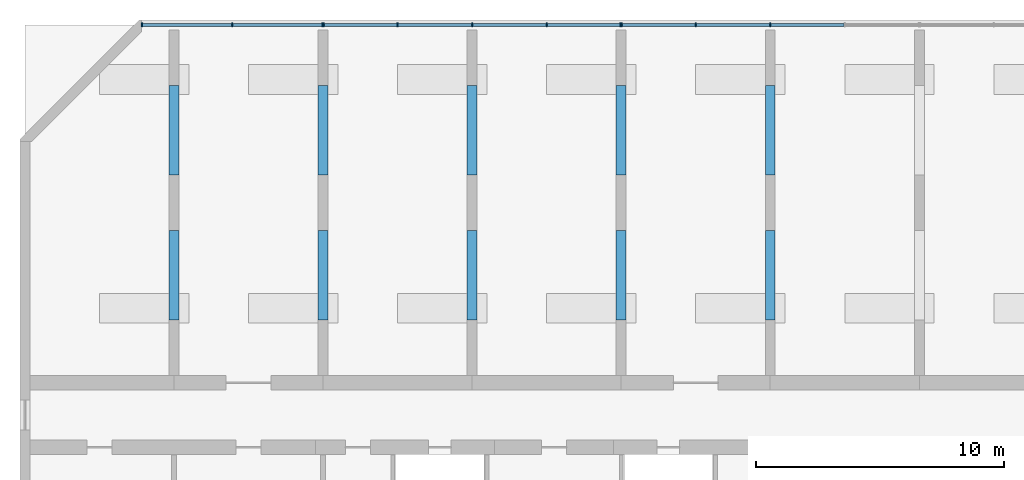
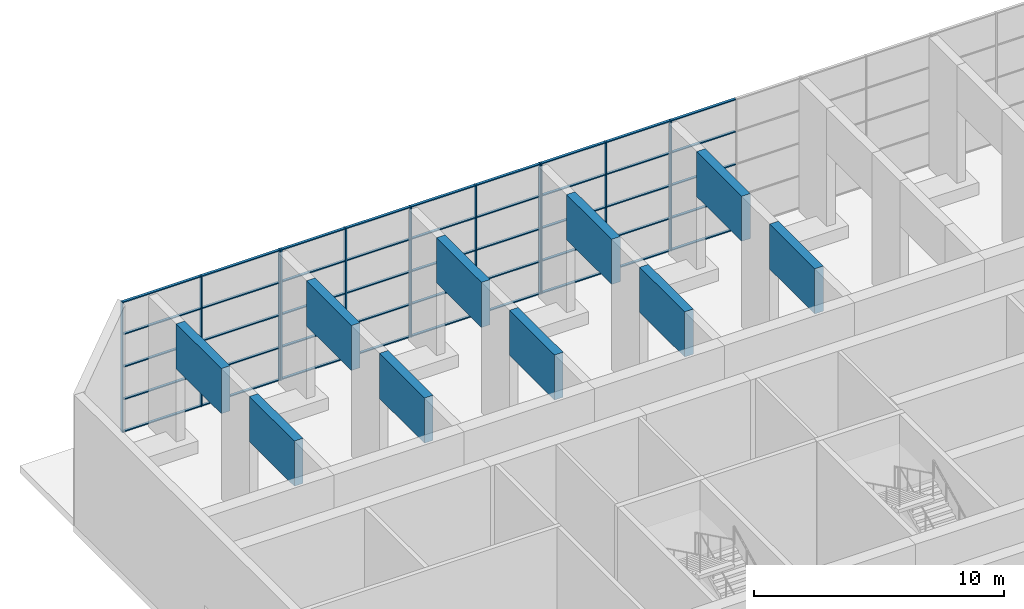
# One storey, part 1 of 15: 56 members, 10 beams, 3 elements without a shape of their own.
"""IFC4 building model written with IfcOpenShell, lengths in metres."""

from ifc_helpers import new_model, si_unit, direction, frame, origin, origin_2d, place, context, subcontext, project, spatial, rectangle, extrude, source, transform, mapped, material, layer, layer_set, material_profile, profile_set, type_object, element, aggregate, save


model = new_model("IFC4")

# Units and contexts
model_context = context("Model", 3, precision=1e-05, world=origin(), true_north=direction((0.0, 1.0)))
body_context = subcontext(model_context, "Body", "Model", "MODEL_VIEW")
ifc_project = project(units=[si_unit("LENGTHUNIT", "METRE"), si_unit("AREAUNIT", "SQUARE_METRE"), si_unit("VOLUMEUNIT", "CUBIC_METRE"), si_unit("PLANEANGLEUNIT", "RADIAN"), si_unit("MASSUNIT", "GRAM", prefix="KILO")], contexts=[model_context])

# Site, building, storey
site_placement = place(None, origin())
site = spatial("IfcSite", under=ifc_project, at=site_placement, CompositionType="ELEMENT")
building_placement = place(site_placement, origin())
building = spatial("IfcBuilding", under=site, at=building_placement, Name="Poui Terraces", CompositionType="ELEMENT")
storey_placement = place(building_placement, frame((0.0, 0.0, 66.300048828125)))
storey = spatial("IfcBuildingStorey", under=building, at=storey_placement, Name="L18", CompositionType="ELEMENT", Elevation=66.300048828125)

# Curtain wall, members
ifc_material_1 = material(Name="Clear glass", Category="glass")
ifc_layer = layer(ifc_material_1, 0.159912109375)
ifc_layer_set = layer_set([ifc_layer], Name="Clear glass")
curtain_wall_type = type_object("IfcCurtainWallType", Name="CURTAIN WALL CW-D SKY GARDEN GLAZING", PredefinedType="NOTDEFINED", material=ifc_layer_set)
curtain_wall_1_placement = place(storey_placement, origin())
curtain_wall_1 = element("IfcCurtainWall", 1, at=curtain_wall_1_placement, inside=storey, type_object=curtain_wall_type, Name="CW-D SKY GARDEN GLAZING", PredefinedType="NOTDEFINED")
ifc_material_2 = material(Name="Aluminium frame", Category="aluminium")
ifc_material_profile_1 = material_profile(ifc_material_2, rectangle(XDim=0.159912109375, YDim=0.050048828125, at=origin_2d()), Name="CW-D MULLION 50X160")
ifc_profile_set_1 = profile_set([ifc_material_profile_1], Name="Aluminium frame")
member_type_1 = type_object("IfcMemberType", Name="CW-D MULLION 50X160", PredefinedType="MULLION", material=ifc_profile_set_1)
member_1_placement = place(storey_placement, frame((17.97509765625, 44.800048828125, 0.0), z_axis=(0.0, 0.0, 1.0), x_axis=(0.0, -1.0, 0.0)))
member_1 = element("IfcMember", 2, at=member_1_placement, type_object=member_type_1, Name="CW-D mullion 1", PredefinedType="MULLION", context=body_context, shape_type="SweptSolid", body=[
    extrude(rectangle(XDim=0.159912109375, YDim=0.050048828125, at=origin_2d()), origin(), (0.0, 0.0, 1.0), 6.35986328125),
])
member_2_placement = place(storey_placement, frame((14.34130859375, 44.800048828125, 0.0), z_axis=(0.0, 0.0, 1.0), x_axis=(0.0, -1.0, 0.0)))
member_2 = element("IfcMember", 3, at=member_2_placement, type_object=member_type_1, Name="CW-D mullion 2", PredefinedType="MULLION", context=body_context, shape_type="SweptSolid", body=[
    extrude(rectangle(XDim=0.159912109375, YDim=0.050048828125, at=origin_2d()), origin(), (0.0, 0.0, 1.0), 6.35986328125),
])
member_3_placement = place(storey_placement, frame((10.707763671875, 44.800048828125, 0.0), z_axis=(0.0, 0.0, 1.0), x_axis=(0.0, -1.0, 0.0)))
member_3 = element("IfcMember", 4, at=member_3_placement, type_object=member_type_1, Name="CW-D mullion 3", PredefinedType="MULLION", context=body_context, shape_type="SweptSolid", body=[
    extrude(rectangle(XDim=0.159912109375, YDim=0.050048828125, at=origin_2d()), origin(), (0.0, 0.0, 1.0), 6.35986328125),
])

curtain_wall_2_placement = place(storey_placement, origin())
curtain_wall_2 = element("IfcCurtainWall", 5, at=curtain_wall_2_placement, inside=storey, type_object=curtain_wall_type, Name="CW-D SKY GARDEN GLAZING", PredefinedType="NOTDEFINED")
member_4_placement = place(storey_placement, frame((29.97509765625, 44.800048828125, 0.0), z_axis=(0.0, 0.0, 1.0), x_axis=(0.0, -1.0, 0.0)))
member_4 = element("IfcMember", 6, at=member_4_placement, type_object=member_type_1, Name="CW-D mullion 1", PredefinedType="MULLION", context=body_context, shape_type="SweptSolid", body=[
    extrude(rectangle(XDim=0.159912109375, YDim=0.050048828125, at=origin_2d()), origin(), (0.0, 0.0, 1.0), 6.35986328125),
])
member_5_placement = place(storey_placement, frame((27.0, 44.800048828125, 0.0), z_axis=(0.0, 0.0, 1.0), x_axis=(0.0, -1.0, 0.0)))
member_5 = element("IfcMember", 7, at=member_5_placement, type_object=member_type_1, Name="CW-D mullion 2", PredefinedType="MULLION", context=body_context, shape_type="SweptSolid", body=[
    extrude(rectangle(XDim=0.159912109375, YDim=0.050048828125, at=origin_2d()), origin(), (0.0, 0.0, 1.0), 6.35986328125),
])
member_6_placement = place(storey_placement, frame((24.0, 44.800048828125, 0.0), z_axis=(0.0, 0.0, 1.0), x_axis=(0.0, -1.0, 0.0)))
member_6 = element("IfcMember", 8, at=member_6_placement, type_object=member_type_1, Name="CW-D mullion 3", PredefinedType="MULLION", context=body_context, shape_type="SweptSolid", body=[
    extrude(rectangle(XDim=0.159912109375, YDim=0.050048828125, at=origin_2d()), origin(), (0.0, 0.0, 1.0), 6.35986328125),
])
member_7_placement = place(storey_placement, frame((21.0, 44.800048828125, 0.0), z_axis=(0.0, 0.0, 1.0), x_axis=(0.0, -1.0, 0.0)))
member_7 = element("IfcMember", 9, at=member_7_placement, type_object=member_type_1, Name="CW-D mullion 4", PredefinedType="MULLION", context=body_context, shape_type="SweptSolid", body=[
    extrude(rectangle(XDim=0.159912109375, YDim=0.050048828125, at=origin_2d()), origin(), (0.0, 0.0, 1.0), 6.35986328125),
])
member_8_placement = place(storey_placement, frame((18.02490234375, 44.800048828125, 0.0), z_axis=(0.0, 0.0, 1.0), x_axis=(0.0, -1.0, 0.0)))
member_8 = element("IfcMember", 10, at=member_8_placement, type_object=member_type_1, Name="CW-D mullion 5", PredefinedType="MULLION", context=body_context, shape_type="SweptSolid", body=[
    extrude(rectangle(XDim=0.159912109375, YDim=0.050048828125, at=origin_2d()), origin(), (0.0, 0.0, 1.0), 6.35986328125),
])

curtain_wall_3_placement = place(storey_placement, origin())
curtain_wall_3 = element("IfcCurtainWall", 11, at=curtain_wall_3_placement, inside=storey, type_object=curtain_wall_type, Name="CW-D SKY GARDEN GLAZING", PredefinedType="NOTDEFINED")
member_9_placement = place(storey_placement, frame((36.0, 44.800048828125, 0.0), z_axis=(0.0, 0.0, 1.0), x_axis=(0.0, -1.0, 0.0)))
member_9 = element("IfcMember", 12, at=member_9_placement, type_object=member_type_1, Name="CW-D mullion 3", PredefinedType="MULLION", context=body_context, shape_type="SweptSolid", body=[
    extrude(rectangle(XDim=0.159912109375, YDim=0.050048828125, at=origin_2d()), origin(), (0.0, 0.0, 1.0), 6.35986328125),
])
member_10_placement = place(storey_placement, frame((33.0, 44.800048828125, 0.0), z_axis=(0.0, 0.0, 1.0), x_axis=(0.0, -1.0, 0.0)))
member_10 = element("IfcMember", 13, at=member_10_placement, type_object=member_type_1, Name="CW-D mullion 4", PredefinedType="MULLION", context=body_context, shape_type="SweptSolid", body=[
    extrude(rectangle(XDim=0.159912109375, YDim=0.050048828125, at=origin_2d()), origin(), (0.0, 0.0, 1.0), 6.35986328125),
])
member_11_placement = place(storey_placement, frame((30.02490234375, 44.800048828125, 0.0), z_axis=(0.0, 0.0, 1.0), x_axis=(0.0, -1.0, 0.0)))
member_11 = element("IfcMember", 14, at=member_11_placement, type_object=member_type_1, Name="CW-D mullion 5", PredefinedType="MULLION", context=body_context, shape_type="SweptSolid", body=[
    extrude(rectangle(XDim=0.159912109375, YDim=0.050048828125, at=origin_2d()), origin(), (0.0, 0.0, 1.0), 6.35986328125),
])

# Member
ifc_material_profile_2 = material_profile(ifc_material_2, rectangle(XDim=0.1201171875, YDim=0.050048828125, at=origin_2d()), Name="CW-D TRANSOM 50X120")
ifc_profile_set_2 = profile_set([ifc_material_profile_2], Name="Aluminium frame")
member_type_2 = type_object("IfcMemberType", Name="CW-D TRANSOM 50X120", PredefinedType="USERDEFINED", material=ifc_profile_set_2)
member_12_placement = place(storey_placement, frame((17.949951171875, 44.800048828125, 0.02490234375), z_axis=(-1.0, 0.0, 0.0), x_axis=(0.0, -1.0, 0.0)))
member_12 = element("IfcMember", 15, at=member_12_placement, type_object=member_type_2, Name="CW-D transom 1.1", ObjectType="TRANSOM", PredefinedType="USERDEFINED", context=body_context, shape_type="SweptSolid", body=[
    extrude(rectangle(XDim=0.1201171875, YDim=0.050048828125, at=origin_2d()), origin(), (0.0, 0.0, 1.0), 3.58349609375),
])

member_13_placement = place(storey_placement, frame((17.949951171875, 44.800048828125, 1.58984375), z_axis=(-1.0, 0.0, 0.0), x_axis=(0.0, -1.0, 0.0)))
member_13 = element("IfcMember", 16, at=member_13_placement, type_object=member_type_2, Name="CW-D transom 1.2", ObjectType="TRANSOM", PredefinedType="USERDEFINED", context=body_context, shape_type="SweptSolid", body=[
    extrude(rectangle(XDim=0.1201171875, YDim=0.050048828125, at=origin_2d()), origin(), (0.0, 0.0, 1.0), 3.58349609375),
])

member_14_placement = place(storey_placement, frame((17.949951171875, 44.800048828125, 3.179931640625), z_axis=(-1.0, 0.0, 0.0), x_axis=(0.0, -1.0, 0.0)))
member_14 = element("IfcMember", 17, at=member_14_placement, type_object=member_type_2, Name="CW-D transom 1.3", ObjectType="TRANSOM", PredefinedType="USERDEFINED", context=body_context, shape_type="SweptSolid", body=[
    extrude(rectangle(XDim=0.1201171875, YDim=0.050048828125, at=origin_2d()), origin(), (0.0, 0.0, 1.0), 3.58349609375),
])

member_15_placement = place(storey_placement, frame((17.949951171875, 44.800048828125, 4.77001953125), z_axis=(-1.0, 0.0, 0.0), x_axis=(0.0, -1.0, 0.0)))
member_15 = element("IfcMember", 18, at=member_15_placement, type_object=member_type_2, Name="CW-D transom 1.4", ObjectType="TRANSOM", PredefinedType="USERDEFINED", context=body_context, shape_type="SweptSolid", body=[
    extrude(rectangle(XDim=0.1201171875, YDim=0.050048828125, at=origin_2d()), origin(), (0.0, 0.0, 1.0), 3.58349609375),
])

member_16_placement = place(storey_placement, frame((17.949951171875, 44.800048828125, 6.3349609375), z_axis=(-1.0, 0.0, 0.0), x_axis=(0.0, -1.0, 0.0)))
member_16 = element("IfcMember", 19, at=member_16_placement, type_object=member_type_2, Name="CW-D transom 1.5", ObjectType="TRANSOM", PredefinedType="USERDEFINED", context=body_context, shape_type="SweptSolid", body=[
    extrude(rectangle(XDim=0.1201171875, YDim=0.050048828125, at=origin_2d()), origin(), (0.0, 0.0, 1.0), 3.58349609375),
])

member_17_placement = place(storey_placement, frame((14.31640625, 44.800048828125, 0.02490234375), z_axis=(-1.0, 0.0, 0.0), x_axis=(0.0, -1.0, 0.0)))
member_17 = element("IfcMember", 20, at=member_17_placement, type_object=member_type_2, Name="CW-D transom 2.1", ObjectType="TRANSOM", PredefinedType="USERDEFINED", context=body_context, shape_type="SweptSolid", body=[
    extrude(rectangle(XDim=0.1201171875, YDim=0.050048828125, at=origin_2d()), origin(), (0.0, 0.0, 1.0), 3.58349609375),
])

member_18_placement = place(storey_placement, frame((14.31640625, 44.800048828125, 1.58984375), z_axis=(-1.0, 0.0, 0.0), x_axis=(0.0, -1.0, 0.0)))
member_18 = element("IfcMember", 21, at=member_18_placement, type_object=member_type_2, Name="CW-D transom 2.2", ObjectType="TRANSOM", PredefinedType="USERDEFINED", context=body_context, shape_type="SweptSolid", body=[
    extrude(rectangle(XDim=0.1201171875, YDim=0.050048828125, at=origin_2d()), origin(), (0.0, 0.0, 1.0), 3.58349609375),
])

member_19_placement = place(storey_placement, frame((14.31640625, 44.800048828125, 3.179931640625), z_axis=(-1.0, 0.0, 0.0), x_axis=(0.0, -1.0, 0.0)))
member_19 = element("IfcMember", 22, at=member_19_placement, type_object=member_type_2, Name="CW-D transom 2.3", ObjectType="TRANSOM", PredefinedType="USERDEFINED", context=body_context, shape_type="SweptSolid", body=[
    extrude(rectangle(XDim=0.1201171875, YDim=0.050048828125, at=origin_2d()), origin(), (0.0, 0.0, 1.0), 3.58349609375),
])

member_20_placement = place(storey_placement, frame((14.31640625, 44.800048828125, 4.77001953125), z_axis=(-1.0, 0.0, 0.0), x_axis=(0.0, -1.0, 0.0)))
member_20 = element("IfcMember", 23, at=member_20_placement, type_object=member_type_2, Name="CW-D transom 2.4", ObjectType="TRANSOM", PredefinedType="USERDEFINED", context=body_context, shape_type="SweptSolid", body=[
    extrude(rectangle(XDim=0.1201171875, YDim=0.050048828125, at=origin_2d()), origin(), (0.0, 0.0, 1.0), 3.58349609375),
])

member_21_placement = place(storey_placement, frame((14.31640625, 44.800048828125, 6.3349609375), z_axis=(-1.0, 0.0, 0.0), x_axis=(0.0, -1.0, 0.0)))
member_21 = element("IfcMember", 24, at=member_21_placement, type_object=member_type_2, Name="CW-D transom 2.5", ObjectType="TRANSOM", PredefinedType="USERDEFINED", context=body_context, shape_type="SweptSolid", body=[
    extrude(rectangle(XDim=0.1201171875, YDim=0.050048828125, at=origin_2d()), origin(), (0.0, 0.0, 1.0), 3.58349609375),
])

aggregate(curtain_wall_1, [member_1, member_2, member_3, member_12, member_13, member_14, member_15, member_16, member_17, member_18, member_19, member_20, member_21])

member_22_placement = place(storey_placement, frame((29.949951171875, 44.800048828125, 0.02490234375), z_axis=(-1.0, 0.0, 0.0), x_axis=(0.0, -1.0, 0.0)))
member_22 = element("IfcMember", 25, at=member_22_placement, type_object=member_type_2, Name="CW-D transom 1.1", ObjectType="TRANSOM", PredefinedType="USERDEFINED", context=body_context, shape_type="SweptSolid", body=[
    extrude(rectangle(XDim=0.1201171875, YDim=0.050048828125, at=origin_2d()), origin(), (0.0, 0.0, 1.0), 2.925048828125),
])

member_23_placement = place(storey_placement, frame((29.949951171875, 44.800048828125, 1.58984375), z_axis=(-1.0, 0.0, 0.0), x_axis=(0.0, -1.0, 0.0)))
member_23 = element("IfcMember", 26, at=member_23_placement, type_object=member_type_2, Name="CW-D transom 1.2", ObjectType="TRANSOM", PredefinedType="USERDEFINED", context=body_context, shape_type="SweptSolid", body=[
    extrude(rectangle(XDim=0.1201171875, YDim=0.050048828125, at=origin_2d()), origin(), (0.0, 0.0, 1.0), 2.925048828125),
])

member_24_placement = place(storey_placement, frame((29.949951171875, 44.800048828125, 3.179931640625), z_axis=(-1.0, 0.0, 0.0), x_axis=(0.0, -1.0, 0.0)))
member_24 = element("IfcMember", 27, at=member_24_placement, type_object=member_type_2, Name="CW-D transom 1.3", ObjectType="TRANSOM", PredefinedType="USERDEFINED", context=body_context, shape_type="SweptSolid", body=[
    extrude(rectangle(XDim=0.1201171875, YDim=0.050048828125, at=origin_2d()), origin(), (0.0, 0.0, 1.0), 2.925048828125),
])

member_25_placement = place(storey_placement, frame((29.949951171875, 44.800048828125, 4.77001953125), z_axis=(-1.0, 0.0, 0.0), x_axis=(0.0, -1.0, 0.0)))
member_25 = element("IfcMember", 28, at=member_25_placement, type_object=member_type_2, Name="CW-D transom 1.4", ObjectType="TRANSOM", PredefinedType="USERDEFINED", context=body_context, shape_type="SweptSolid", body=[
    extrude(rectangle(XDim=0.1201171875, YDim=0.050048828125, at=origin_2d()), origin(), (0.0, 0.0, 1.0), 2.925048828125),
])

member_26_placement = place(storey_placement, frame((29.949951171875, 44.800048828125, 6.3349609375), z_axis=(-1.0, 0.0, 0.0), x_axis=(0.0, -1.0, 0.0)))
member_26 = element("IfcMember", 29, at=member_26_placement, type_object=member_type_2, Name="CW-D transom 1.5", ObjectType="TRANSOM", PredefinedType="USERDEFINED", context=body_context, shape_type="SweptSolid", body=[
    extrude(rectangle(XDim=0.1201171875, YDim=0.050048828125, at=origin_2d()), origin(), (0.0, 0.0, 1.0), 2.925048828125),
])

member_27_placement = place(storey_placement, frame((26.97509765625, 44.800048828125, 0.02490234375), z_axis=(-1.0, 0.0, 0.0), x_axis=(0.0, -1.0, 0.0)))
member_27 = element("IfcMember", 30, at=member_27_placement, type_object=member_type_2, Name="CW-D transom 2.1", ObjectType="TRANSOM", PredefinedType="USERDEFINED", context=body_context, shape_type="SweptSolid", body=[
    extrude(rectangle(XDim=0.1201171875, YDim=0.050048828125, at=origin_2d()), origin(), (0.0, 0.0, 1.0), 2.9501953125),
])

member_28_placement = place(storey_placement, frame((26.97509765625, 44.800048828125, 1.58984375), z_axis=(-1.0, 0.0, 0.0), x_axis=(0.0, -1.0, 0.0)))
member_28 = element("IfcMember", 31, at=member_28_placement, type_object=member_type_2, Name="CW-D transom 2.2", ObjectType="TRANSOM", PredefinedType="USERDEFINED", context=body_context, shape_type="SweptSolid", body=[
    extrude(rectangle(XDim=0.1201171875, YDim=0.050048828125, at=origin_2d()), origin(), (0.0, 0.0, 1.0), 2.9501953125),
])

member_29_placement = place(storey_placement, frame((26.97509765625, 44.800048828125, 3.179931640625), z_axis=(-1.0, 0.0, 0.0), x_axis=(0.0, -1.0, 0.0)))
member_29 = element("IfcMember", 32, at=member_29_placement, type_object=member_type_2, Name="CW-D transom 2.3", ObjectType="TRANSOM", PredefinedType="USERDEFINED", context=body_context, shape_type="SweptSolid", body=[
    extrude(rectangle(XDim=0.1201171875, YDim=0.050048828125, at=origin_2d()), origin(), (0.0, 0.0, 1.0), 2.9501953125),
])

member_30_placement = place(storey_placement, frame((26.97509765625, 44.800048828125, 4.77001953125), z_axis=(-1.0, 0.0, 0.0), x_axis=(0.0, -1.0, 0.0)))
member_30 = element("IfcMember", 33, at=member_30_placement, type_object=member_type_2, Name="CW-D transom 2.4", ObjectType="TRANSOM", PredefinedType="USERDEFINED", context=body_context, shape_type="SweptSolid", body=[
    extrude(rectangle(XDim=0.1201171875, YDim=0.050048828125, at=origin_2d()), origin(), (0.0, 0.0, 1.0), 2.9501953125),
])

member_31_placement = place(storey_placement, frame((26.97509765625, 44.800048828125, 6.3349609375), z_axis=(-1.0, 0.0, 0.0), x_axis=(0.0, -1.0, 0.0)))
member_31 = element("IfcMember", 34, at=member_31_placement, type_object=member_type_2, Name="CW-D transom 2.5", ObjectType="TRANSOM", PredefinedType="USERDEFINED", context=body_context, shape_type="SweptSolid", body=[
    extrude(rectangle(XDim=0.1201171875, YDim=0.050048828125, at=origin_2d()), origin(), (0.0, 0.0, 1.0), 2.9501953125),
])

member_32_placement = place(storey_placement, frame((23.97509765625, 44.800048828125, 0.02490234375), z_axis=(-1.0, 0.0, 0.0), x_axis=(0.0, -1.0, 0.0)))
member_32 = element("IfcMember", 35, at=member_32_placement, type_object=member_type_2, Name="CW-D transom 3.1", ObjectType="TRANSOM", PredefinedType="USERDEFINED", context=body_context, shape_type="SweptSolid", body=[
    extrude(rectangle(XDim=0.1201171875, YDim=0.050048828125, at=origin_2d()), origin(), (0.0, 0.0, 1.0), 2.9501953125),
])

member_33_placement = place(storey_placement, frame((23.97509765625, 44.800048828125, 1.58984375), z_axis=(-1.0, 0.0, 0.0), x_axis=(0.0, -1.0, 0.0)))
member_33 = element("IfcMember", 36, at=member_33_placement, type_object=member_type_2, Name="CW-D transom 3.2", ObjectType="TRANSOM", PredefinedType="USERDEFINED", context=body_context, shape_type="SweptSolid", body=[
    extrude(rectangle(XDim=0.1201171875, YDim=0.050048828125, at=origin_2d()), origin(), (0.0, 0.0, 1.0), 2.9501953125),
])

member_34_placement = place(storey_placement, frame((23.97509765625, 44.800048828125, 3.179931640625), z_axis=(-1.0, 0.0, 0.0), x_axis=(0.0, -1.0, 0.0)))
member_34 = element("IfcMember", 37, at=member_34_placement, type_object=member_type_2, Name="CW-D transom 3.3", ObjectType="TRANSOM", PredefinedType="USERDEFINED", context=body_context, shape_type="SweptSolid", body=[
    extrude(rectangle(XDim=0.1201171875, YDim=0.050048828125, at=origin_2d()), origin(), (0.0, 0.0, 1.0), 2.9501953125),
])

member_35_placement = place(storey_placement, frame((23.97509765625, 44.800048828125, 4.77001953125), z_axis=(-1.0, 0.0, 0.0), x_axis=(0.0, -1.0, 0.0)))
member_35 = element("IfcMember", 38, at=member_35_placement, type_object=member_type_2, Name="CW-D transom 3.4", ObjectType="TRANSOM", PredefinedType="USERDEFINED", context=body_context, shape_type="SweptSolid", body=[
    extrude(rectangle(XDim=0.1201171875, YDim=0.050048828125, at=origin_2d()), origin(), (0.0, 0.0, 1.0), 2.9501953125),
])

member_36_placement = place(storey_placement, frame((23.97509765625, 44.800048828125, 6.3349609375), z_axis=(-1.0, 0.0, 0.0), x_axis=(0.0, -1.0, 0.0)))
member_36 = element("IfcMember", 39, at=member_36_placement, type_object=member_type_2, Name="CW-D transom 3.5", ObjectType="TRANSOM", PredefinedType="USERDEFINED", context=body_context, shape_type="SweptSolid", body=[
    extrude(rectangle(XDim=0.1201171875, YDim=0.050048828125, at=origin_2d()), origin(), (0.0, 0.0, 1.0), 2.9501953125),
])

member_37_placement = place(storey_placement, frame((20.97509765625, 44.800048828125, 0.02490234375), z_axis=(-1.0, 0.0, 0.0), x_axis=(0.0, -1.0, 0.0)))
member_37 = element("IfcMember", 40, at=member_37_placement, type_object=member_type_2, Name="CW-D transom 4.1", ObjectType="TRANSOM", PredefinedType="USERDEFINED", context=body_context, shape_type="SweptSolid", body=[
    extrude(rectangle(XDim=0.1201171875, YDim=0.050048828125, at=origin_2d()), origin(), (0.0, 0.0, 1.0), 2.925048828125),
])

member_38_placement = place(storey_placement, frame((20.97509765625, 44.800048828125, 1.58984375), z_axis=(-1.0, 0.0, 0.0), x_axis=(0.0, -1.0, 0.0)))
member_38 = element("IfcMember", 41, at=member_38_placement, type_object=member_type_2, Name="CW-D transom 4.2", ObjectType="TRANSOM", PredefinedType="USERDEFINED", context=body_context, shape_type="SweptSolid", body=[
    extrude(rectangle(XDim=0.1201171875, YDim=0.050048828125, at=origin_2d()), origin(), (0.0, 0.0, 1.0), 2.925048828125),
])

member_39_placement = place(storey_placement, frame((20.97509765625, 44.800048828125, 3.179931640625), z_axis=(-1.0, 0.0, 0.0), x_axis=(0.0, -1.0, 0.0)))
member_39 = element("IfcMember", 42, at=member_39_placement, type_object=member_type_2, Name="CW-D transom 4.3", ObjectType="TRANSOM", PredefinedType="USERDEFINED", context=body_context, shape_type="SweptSolid", body=[
    extrude(rectangle(XDim=0.1201171875, YDim=0.050048828125, at=origin_2d()), origin(), (0.0, 0.0, 1.0), 2.925048828125),
])

member_40_placement = place(storey_placement, frame((20.97509765625, 44.800048828125, 4.77001953125), z_axis=(-1.0, 0.0, 0.0), x_axis=(0.0, -1.0, 0.0)))
member_40 = element("IfcMember", 43, at=member_40_placement, type_object=member_type_2, Name="CW-D transom 4.4", ObjectType="TRANSOM", PredefinedType="USERDEFINED", context=body_context, shape_type="SweptSolid", body=[
    extrude(rectangle(XDim=0.1201171875, YDim=0.050048828125, at=origin_2d()), origin(), (0.0, 0.0, 1.0), 2.925048828125),
])

member_41_placement = place(storey_placement, frame((20.97509765625, 44.800048828125, 6.3349609375), z_axis=(-1.0, 0.0, 0.0), x_axis=(0.0, -1.0, 0.0)))
member_41 = element("IfcMember", 44, at=member_41_placement, type_object=member_type_2, Name="CW-D transom 4.5", ObjectType="TRANSOM", PredefinedType="USERDEFINED", context=body_context, shape_type="SweptSolid", body=[
    extrude(rectangle(XDim=0.1201171875, YDim=0.050048828125, at=origin_2d()), origin(), (0.0, 0.0, 1.0), 2.925048828125),
])

aggregate(curtain_wall_2, [member_4, member_5, member_6, member_7, member_8, member_22, member_23, member_24, member_25, member_26, member_27, member_28, member_29, member_30, member_31, member_32, member_33, member_34, member_35, member_36, member_37, member_38, member_39, member_40, member_41])

member_42_placement = place(storey_placement, frame((38.97509765625, 44.800048828125, 0.02490234375), z_axis=(-1.0, 0.0, 0.0), x_axis=(0.0, -1.0, 0.0)))
member_42 = element("IfcMember", 45, at=member_42_placement, type_object=member_type_2, Name="CW-D transom 2.1", ObjectType="TRANSOM", PredefinedType="USERDEFINED", context=body_context, shape_type="SweptSolid", body=[
    extrude(rectangle(XDim=0.1201171875, YDim=0.050048828125, at=origin_2d()), origin(), (0.0, 0.0, 1.0), 2.9501953125),
])

member_43_placement = place(storey_placement, frame((38.97509765625, 44.800048828125, 1.58984375), z_axis=(-1.0, 0.0, 0.0), x_axis=(0.0, -1.0, 0.0)))
member_43 = element("IfcMember", 46, at=member_43_placement, type_object=member_type_2, Name="CW-D transom 2.2", ObjectType="TRANSOM", PredefinedType="USERDEFINED", context=body_context, shape_type="SweptSolid", body=[
    extrude(rectangle(XDim=0.1201171875, YDim=0.050048828125, at=origin_2d()), origin(), (0.0, 0.0, 1.0), 2.9501953125),
])

member_44_placement = place(storey_placement, frame((38.97509765625, 44.800048828125, 3.179931640625), z_axis=(-1.0, 0.0, 0.0), x_axis=(0.0, -1.0, 0.0)))
member_44 = element("IfcMember", 47, at=member_44_placement, type_object=member_type_2, Name="CW-D transom 2.3", ObjectType="TRANSOM", PredefinedType="USERDEFINED", context=body_context, shape_type="SweptSolid", body=[
    extrude(rectangle(XDim=0.1201171875, YDim=0.050048828125, at=origin_2d()), origin(), (0.0, 0.0, 1.0), 2.9501953125),
])

member_45_placement = place(storey_placement, frame((38.97509765625, 44.800048828125, 4.77001953125), z_axis=(-1.0, 0.0, 0.0), x_axis=(0.0, -1.0, 0.0)))
member_45 = element("IfcMember", 48, at=member_45_placement, type_object=member_type_2, Name="CW-D transom 2.4", ObjectType="TRANSOM", PredefinedType="USERDEFINED", context=body_context, shape_type="SweptSolid", body=[
    extrude(rectangle(XDim=0.1201171875, YDim=0.050048828125, at=origin_2d()), origin(), (0.0, 0.0, 1.0), 2.9501953125),
])

member_46_placement = place(storey_placement, frame((38.97509765625, 44.800048828125, 6.3349609375), z_axis=(-1.0, 0.0, 0.0), x_axis=(0.0, -1.0, 0.0)))
member_46 = element("IfcMember", 49, at=member_46_placement, type_object=member_type_2, Name="CW-D transom 2.5", ObjectType="TRANSOM", PredefinedType="USERDEFINED", context=body_context, shape_type="SweptSolid", body=[
    extrude(rectangle(XDim=0.1201171875, YDim=0.050048828125, at=origin_2d()), origin(), (0.0, 0.0, 1.0), 2.9501953125),
])

member_47_placement = place(storey_placement, frame((35.97509765625, 44.800048828125, 0.02490234375), z_axis=(-1.0, 0.0, 0.0), x_axis=(0.0, -1.0, 0.0)))
member_47 = element("IfcMember", 50, at=member_47_placement, type_object=member_type_2, Name="CW-D transom 3.1", ObjectType="TRANSOM", PredefinedType="USERDEFINED", context=body_context, shape_type="SweptSolid", body=[
    extrude(rectangle(XDim=0.1201171875, YDim=0.050048828125, at=origin_2d()), origin(), (0.0, 0.0, 1.0), 2.9501953125),
])

member_48_placement = place(storey_placement, frame((35.97509765625, 44.800048828125, 1.58984375), z_axis=(-1.0, 0.0, 0.0), x_axis=(0.0, -1.0, 0.0)))
member_48 = element("IfcMember", 51, at=member_48_placement, type_object=member_type_2, Name="CW-D transom 3.2", ObjectType="TRANSOM", PredefinedType="USERDEFINED", context=body_context, shape_type="SweptSolid", body=[
    extrude(rectangle(XDim=0.1201171875, YDim=0.050048828125, at=origin_2d()), origin(), (0.0, 0.0, 1.0), 2.9501953125),
])

member_49_placement = place(storey_placement, frame((35.97509765625, 44.800048828125, 3.179931640625), z_axis=(-1.0, 0.0, 0.0), x_axis=(0.0, -1.0, 0.0)))
member_49 = element("IfcMember", 52, at=member_49_placement, type_object=member_type_2, Name="CW-D transom 3.3", ObjectType="TRANSOM", PredefinedType="USERDEFINED", context=body_context, shape_type="SweptSolid", body=[
    extrude(rectangle(XDim=0.1201171875, YDim=0.050048828125, at=origin_2d()), origin(), (0.0, 0.0, 1.0), 2.9501953125),
])

member_50_placement = place(storey_placement, frame((35.97509765625, 44.800048828125, 4.77001953125), z_axis=(-1.0, 0.0, 0.0), x_axis=(0.0, -1.0, 0.0)))
member_50 = element("IfcMember", 53, at=member_50_placement, type_object=member_type_2, Name="CW-D transom 3.4", ObjectType="TRANSOM", PredefinedType="USERDEFINED", context=body_context, shape_type="SweptSolid", body=[
    extrude(rectangle(XDim=0.1201171875, YDim=0.050048828125, at=origin_2d()), origin(), (0.0, 0.0, 1.0), 2.9501953125),
])

member_51_placement = place(storey_placement, frame((35.97509765625, 44.800048828125, 6.3349609375), z_axis=(-1.0, 0.0, 0.0), x_axis=(0.0, -1.0, 0.0)))
member_51 = element("IfcMember", 54, at=member_51_placement, type_object=member_type_2, Name="CW-D transom 3.5", ObjectType="TRANSOM", PredefinedType="USERDEFINED", context=body_context, shape_type="SweptSolid", body=[
    extrude(rectangle(XDim=0.1201171875, YDim=0.050048828125, at=origin_2d()), origin(), (0.0, 0.0, 1.0), 2.9501953125),
])

member_52_placement = place(storey_placement, frame((32.97509765625, 44.800048828125, 0.02490234375), z_axis=(-1.0, 0.0, 0.0), x_axis=(0.0, -1.0, 0.0)))
member_52 = element("IfcMember", 55, at=member_52_placement, type_object=member_type_2, Name="CW-D transom 4.1", ObjectType="TRANSOM", PredefinedType="USERDEFINED", context=body_context, shape_type="SweptSolid", body=[
    extrude(rectangle(XDim=0.1201171875, YDim=0.050048828125, at=origin_2d()), origin(), (0.0, 0.0, 1.0), 2.925048828125),
])

member_53_placement = place(storey_placement, frame((32.97509765625, 44.800048828125, 1.58984375), z_axis=(-1.0, 0.0, 0.0), x_axis=(0.0, -1.0, 0.0)))
member_53 = element("IfcMember", 56, at=member_53_placement, type_object=member_type_2, Name="CW-D transom 4.2", ObjectType="TRANSOM", PredefinedType="USERDEFINED", context=body_context, shape_type="SweptSolid", body=[
    extrude(rectangle(XDim=0.1201171875, YDim=0.050048828125, at=origin_2d()), origin(), (0.0, 0.0, 1.0), 2.925048828125),
])

member_54_placement = place(storey_placement, frame((32.97509765625, 44.800048828125, 3.179931640625), z_axis=(-1.0, 0.0, 0.0), x_axis=(0.0, -1.0, 0.0)))
member_54 = element("IfcMember", 57, at=member_54_placement, type_object=member_type_2, Name="CW-D transom 4.3", ObjectType="TRANSOM", PredefinedType="USERDEFINED", context=body_context, shape_type="SweptSolid", body=[
    extrude(rectangle(XDim=0.1201171875, YDim=0.050048828125, at=origin_2d()), origin(), (0.0, 0.0, 1.0), 2.925048828125),
])

member_55_placement = place(storey_placement, frame((32.97509765625, 44.800048828125, 4.77001953125), z_axis=(-1.0, 0.0, 0.0), x_axis=(0.0, -1.0, 0.0)))
member_55 = element("IfcMember", 58, at=member_55_placement, type_object=member_type_2, Name="CW-D transom 4.4", ObjectType="TRANSOM", PredefinedType="USERDEFINED", context=body_context, shape_type="SweptSolid", body=[
    extrude(rectangle(XDim=0.1201171875, YDim=0.050048828125, at=origin_2d()), origin(), (0.0, 0.0, 1.0), 2.925048828125),
])

member_56_placement = place(storey_placement, frame((32.97509765625, 44.800048828125, 6.3349609375), z_axis=(-1.0, 0.0, 0.0), x_axis=(0.0, -1.0, 0.0)))
member_56 = element("IfcMember", 59, at=member_56_placement, type_object=member_type_2, Name="CW-D transom 4.5", ObjectType="TRANSOM", PredefinedType="USERDEFINED", context=body_context, shape_type="SweptSolid", body=[
    extrude(rectangle(XDim=0.1201171875, YDim=0.050048828125, at=origin_2d()), origin(), (0.0, 0.0, 1.0), 2.925048828125),
])

aggregate(curtain_wall_3, [member_9, member_10, member_11, member_42, member_43, member_44, member_45, member_46, member_47, member_48, member_49, member_50, member_51, member_52, member_53, member_54, member_55, member_56])

# Beams
ifc_material_3 = material(Name="Concrete 80 MPa", Category="concrete")
ifc_material_profile_3 = material_profile(ifc_material_3, rectangle(XDim=0.39990234375, YDim=2.199951171875, at=origin_2d()), Name="RC 400x2200")
ifc_profile_set_3 = profile_set([ifc_material_profile_3], Name="Concrete 80 MPa")
beam_type = type_object("IfcBeamType", Name="DEEP BEAM 400x2200 80MPa", PredefinedType="BEAM", material=ifc_profile_set_3)
shared_shape_1 = source(origin(), body_context, "Body", "SweptSolid", [
    extrude(rectangle(XDim=0.39990234375, YDim=2.199951171875, at=origin_2d()), origin(), (0.0, 0.0, 1.0), 3.599853515625),
])
for number, where, z_axis, x_axis, name in (
    (60, (12.0, 32.933349609375, 5.260009765625), (0.0, 1.0, 0.0), (-1.0, 0.0, 0.0), "DEEP BEAM LINE 3 1"),
    (61, (18.0, 32.933349609375, 5.260009765625), (0.0, 1.0, 0.0), (-1.0, 0.0, 0.0), "DEEP BEAM LINE 4 1"),
    (62, (24.0, 32.933349609375, 5.260009765625), (0.0, 1.0, 0.0), (-1.0, 0.0, 0.0), "DEEP BEAM LINE 5 1"),
    (63, (30.0, 32.933349609375, 5.260009765625), (0.0, 1.0, 0.0), (-1.0, 0.0, 0.0), "DEEP BEAM LINE 6 1"),
    (64, (36.0, 32.933349609375, 5.260009765625), (0.0, 1.0, 0.0), (-1.0, 0.0, 0.0), "DEEP BEAM LINE 7 1"),
):
    element("IfcBeam", number, at=place(storey_placement, frame(where, z_axis=z_axis, x_axis=x_axis)), inside=storey, type_object=beam_type, Name=name, PredefinedType="BEAM", context=body_context, shape_type="MappedRepresentation", body=[
        mapped(shared_shape_1, transform((0.0, 0.0, 0.0))),
    ])
shared_shape_2 = source(origin(), body_context, "Body", "SweptSolid", [
    extrude(rectangle(XDim=0.39990234375, YDim=2.199951171875, at=origin_2d()), origin(), (0.0, 0.0, 1.0), 3.60009765625),
])
for number, where, z_axis, x_axis, name in (
    (65, (12.0, 38.7666015625, 5.260009765625), (0.0, 1.0, 0.0), (-1.0, 0.0, 0.0), "DEEP BEAM LINE 3 2"),
    (66, (18.0, 38.7666015625, 5.260009765625), (0.0, 1.0, 0.0), (-1.0, 0.0, 0.0), "DEEP BEAM LINE 4 2"),
    (67, (24.0, 38.7666015625, 5.260009765625), (0.0, 1.0, 0.0), (-1.0, 0.0, 0.0), "DEEP BEAM LINE 5 2"),
    (68, (30.0, 38.7666015625, 5.260009765625), (0.0, 1.0, 0.0), (-1.0, 0.0, 0.0), "DEEP BEAM LINE 6 2"),
    (69, (36.0, 38.7666015625, 5.260009765625), (0.0, 1.0, 0.0), (-1.0, 0.0, 0.0), "DEEP BEAM LINE 7 2"),
):
    element("IfcBeam", number, at=place(storey_placement, frame(where, z_axis=z_axis, x_axis=x_axis)), inside=storey, type_object=beam_type, Name=name, PredefinedType="BEAM", context=body_context, shape_type="MappedRepresentation", body=[
        mapped(shared_shape_2, transform((0.0, 0.0, 0.0))),
    ])

save(model, "model.ifc")
